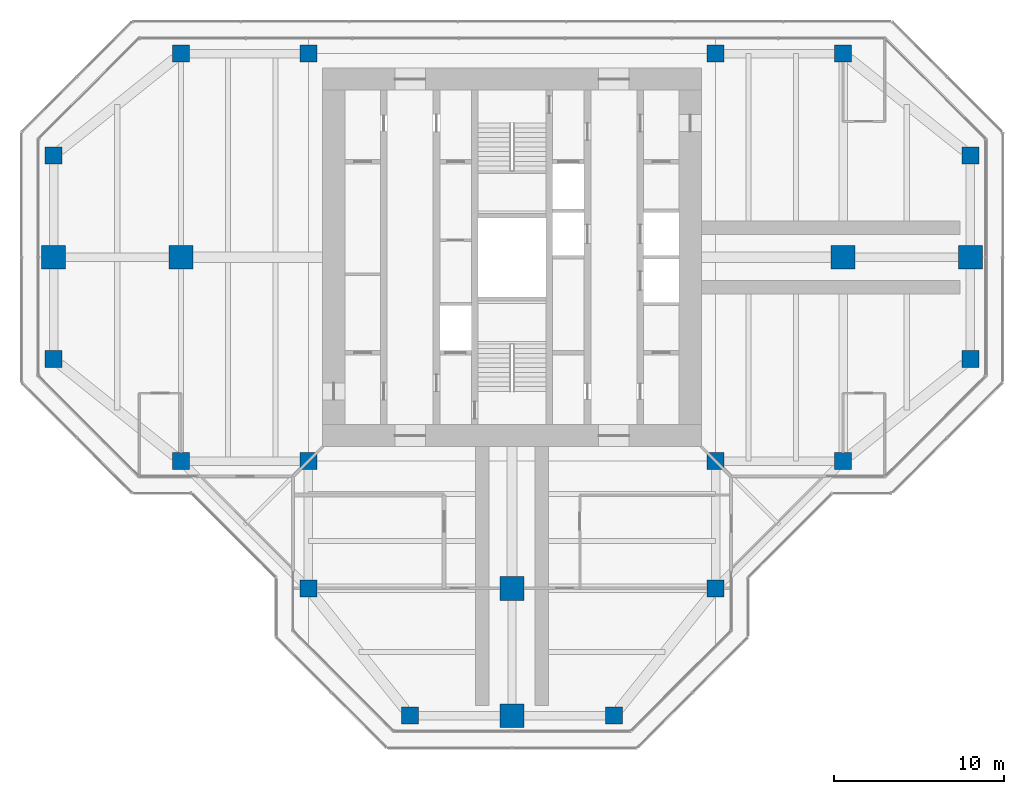
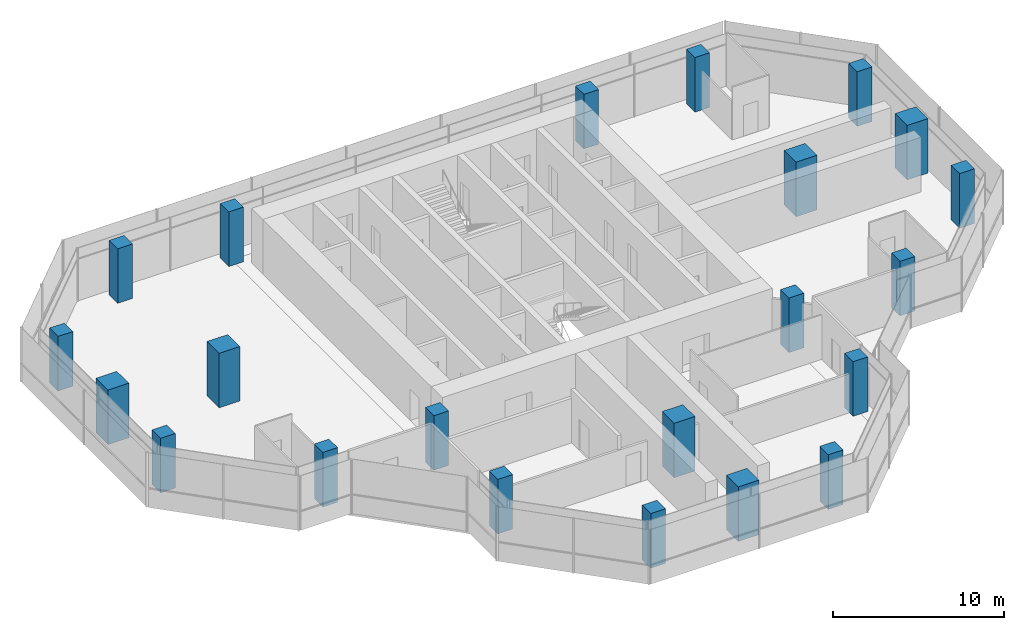
# One storey, part 1 of 15: 22 columns.
"""IFC4 building model written with IfcOpenShell, lengths in metres."""

from ifc_helpers import new_model, si_unit, direction, frame, origin, origin_2d, place, context, subcontext, project, spatial, rectangle, extrude, material, material_profile, profile_set, type_object, element, save


model = new_model("IFC4")

# Units and contexts
model_context = context("Model", 3, precision=1e-05, world=origin(), true_north=direction((0.0, 1.0)))
body_context = subcontext(model_context, "Body", "Model", "MODEL_VIEW")
ifc_project = project(units=[si_unit("LENGTHUNIT", "METRE"), si_unit("AREAUNIT", "SQUARE_METRE"), si_unit("VOLUMEUNIT", "CUBIC_METRE"), si_unit("PLANEANGLEUNIT", "RADIAN"), si_unit("MASSUNIT", "GRAM", prefix="KILO")], contexts=[model_context])

# Site, building, storey
site_placement = place(None, origin())
site = spatial("IfcSite", under=ifc_project, at=site_placement, CompositionType="ELEMENT")
building_placement = place(site_placement, origin())
building = spatial("IfcBuilding", under=site, at=building_placement, Name="Mizan Broadcast Tower", CompositionType="ELEMENT")
storey_placement = place(building_placement, frame((0.0, 0.0, 286.800048828125)))
storey = spatial("IfcBuildingStorey", under=building, at=storey_placement, Name="L68", CompositionType="ELEMENT", Elevation=286.800048828125)

# Columns
ifc_material_1 = material(Name="Concrete C70/85", Category="concrete")
ifc_material_profile_1 = material_profile(ifc_material_1, rectangle(XDim=1.0, YDim=1.0, at=origin_2d()), Name="RC 1000x1000")
ifc_profile_set_1 = profile_set([ifc_material_profile_1], Name="Concrete C70/85")
column_type_1 = type_object("IfcColumnType", Name="RC COLUMN 1000x1000 C70/85", PredefinedType="COLUMN", material=ifc_profile_set_1)
for number, where, z_axis, x_axis, name in (
    (1, (-6.0, -27.0, 0.0), (0.0, 0.0, 1.0), (1.0, 0.0, 0.0), "Column 5/B L68"),
    (2, (6.0, -27.0, 0.0), (0.0, 0.0, 1.0), (1.0, 0.0, 0.0), "Column 7/B L68"),
    (3, (-12.0, -19.5, 0.0), (0.0, 0.0, 1.0), (1.0, 0.0, 0.0), "Column 4/C L68"),
    (4, (12.0, -19.5, 0.0), (0.0, 0.0, 1.0), (1.0, 0.0, 0.0), "Column 8/C L68"),
    (5, (-19.5, -12.0, 0.0), (0.0, 0.0, 1.0), (1.0, 0.0, 0.0), "Column 3/D L68"),
    (6, (-12.0, -12.0, 0.0), (0.0, 0.0, 1.0), (1.0, 0.0, 0.0), "Column 4/D L68"),
    (7, (12.0, -12.0, 0.0), (0.0, 0.0, 1.0), (1.0, 0.0, 0.0), "Column 8/D L68"),
    (8, (19.5, -12.0, 0.0), (0.0, 0.0, 1.0), (1.0, 0.0, 0.0), "Column 9/D L68"),
    (9, (-27.0, -6.0, 0.0), (0.0, 0.0, 1.0), (1.0, 0.0, 0.0), "Column 2/E L68"),
    (10, (27.0, -6.0, 0.0), (0.0, 0.0, 1.0), (1.0, 0.0, 0.0), "Column 10/E L68"),
    (11, (-27.0, 6.0, 0.0), (0.0, 0.0, 1.0), (1.0, 0.0, 0.0), "Column 2/G L68"),
    (12, (27.0, 6.0, 0.0), (0.0, 0.0, 1.0), (1.0, 0.0, 0.0), "Column 10/G L68"),
    (13, (-19.5, 12.0, 0.0), (0.0, 0.0, 1.0), (1.0, 0.0, 0.0), "Column 3/H L68"),
    (14, (-12.0, 12.0, 0.0), (0.0, 0.0, 1.0), (1.0, 0.0, 0.0), "Column 4/H L68"),
    (15, (12.0, 12.0, 0.0), (0.0, 0.0, 1.0), (1.0, 0.0, 0.0), "Column 8/H L68"),
    (16, (19.5, 12.0, 0.0), (0.0, 0.0, 1.0), (1.0, 0.0, 0.0), "Column 9/H L68"),
):
    element("IfcColumn", number, at=place(storey_placement, frame(where, z_axis=z_axis, x_axis=x_axis)), inside=storey, type_object=column_type_1, Name=name, PredefinedType="COLUMN", context=body_context, shape_type="SweptSolid", body=[
        extrude(rectangle(XDim=1.0, YDim=1.0, at=origin_2d()), origin(), (0.0, 0.0, 1.0), 3.89990234375),
    ])
ifc_material_2 = material(Name="Concrete C70/85", Category="concrete")
ifc_material_profile_2 = material_profile(ifc_material_2, rectangle(XDim=1.39990234375, YDim=1.39990234375, at=origin_2d()), Name="RC 1400x1400")
ifc_profile_set_2 = profile_set([ifc_material_profile_2], Name="Concrete C70/85")
column_type_2 = type_object("IfcColumnType", Name="RC COLUMN 1400x1400 C70/85", PredefinedType="COLUMN", material=ifc_profile_set_2)
for number, where, z_axis, x_axis, name in (
    (17, (0.0, -27.0, 0.0), (0.0, 0.0, 1.0), (1.0, 0.0, 0.0), "Column 6/B L68"),
    (18, (0.0, -19.5, 0.0), (0.0, 0.0, 1.0), (1.0, 0.0, 0.0), "Column 6/C L68"),
    (19, (-27.0, 0.0, 0.0), (0.0, 0.0, 1.0), (1.0, 0.0, 0.0), "Column 2/F L68"),
    (20, (-19.5, 0.0, 0.0), (0.0, 0.0, 1.0), (1.0, 0.0, 0.0), "Column 3/F L68"),
    (21, (19.5, 0.0, 0.0), (0.0, 0.0, 1.0), (1.0, 0.0, 0.0), "Column 9/F L68"),
    (22, (27.0, 0.0, 0.0), (0.0, 0.0, 1.0), (1.0, 0.0, 0.0), "Column 10/F L68"),
):
    element("IfcColumn", number, at=place(storey_placement, frame(where, z_axis=z_axis, x_axis=x_axis)), inside=storey, type_object=column_type_2, Name=name, PredefinedType="COLUMN", context=body_context, shape_type="SweptSolid", body=[
        extrude(rectangle(XDim=1.39990234375, YDim=1.39990234375, at=origin_2d()), origin(), (0.0, 0.0, 1.0), 3.89990234375),
    ])

save(model, "model.ifc")
